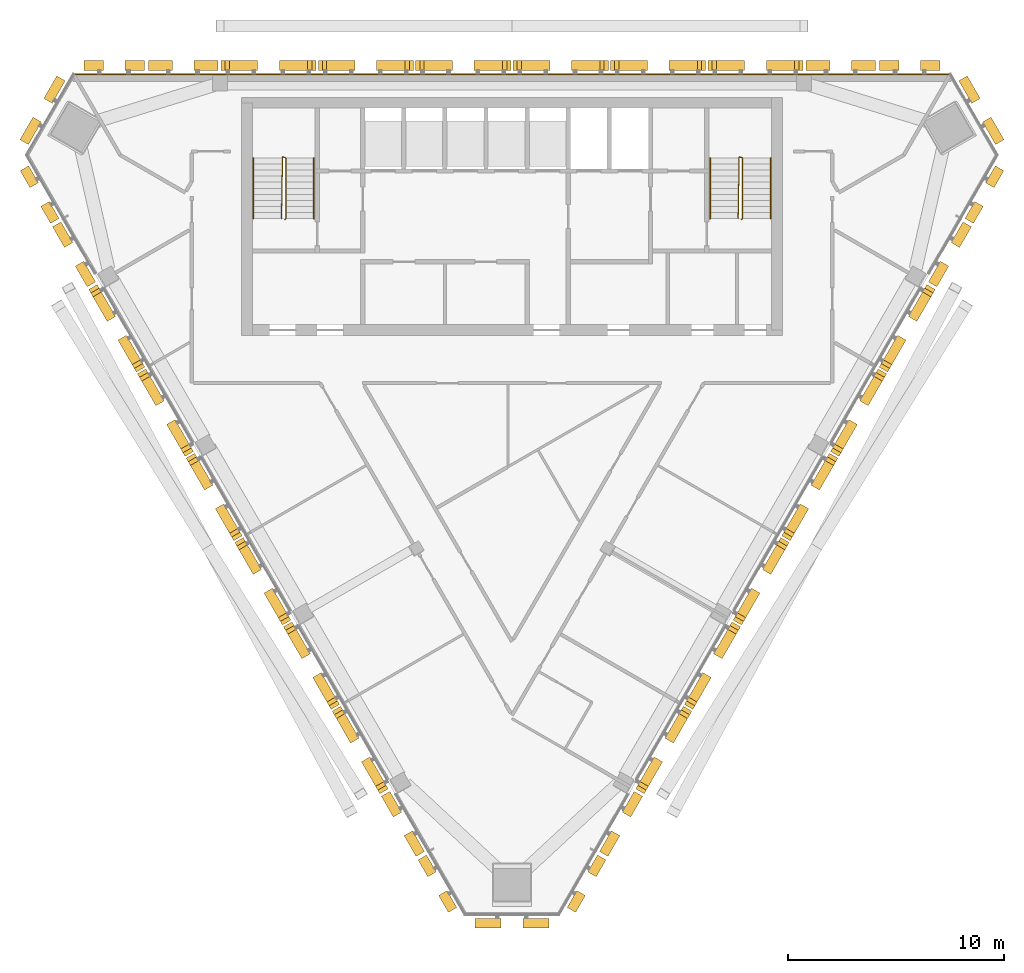
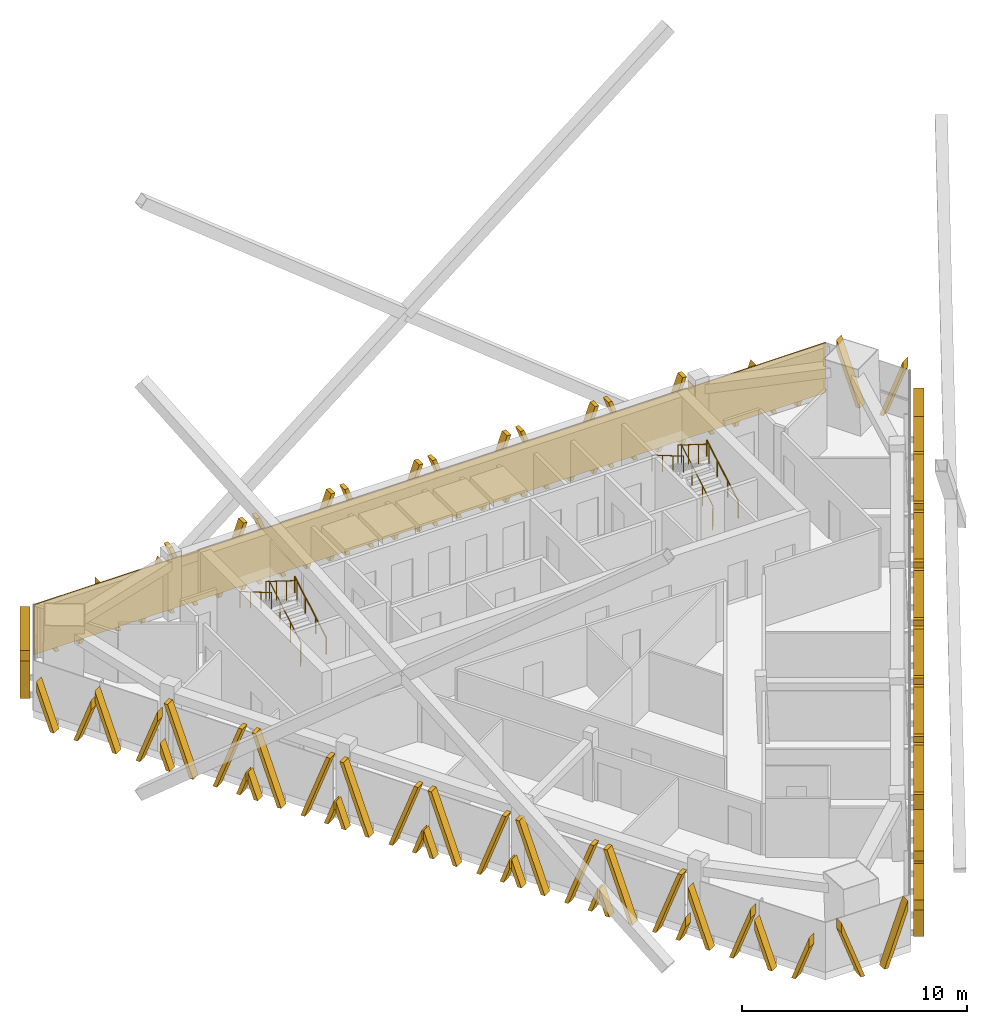
# One storey, part 11 of 12: 33 shading devices, 6 railings, 1 covering.
"""IFC4 building model written with IfcOpenShell, lengths in metres."""

from ifc_helpers import new_model, si_unit, direction, frame, frame_2d, origin, origin_2d, place, context, subcontext, project, spatial, polyline, rectangle, circle, outline, extrude, source, transform, mapped, material, layer, layer_set, type_object, element, save


model = new_model("IFC4")

# Units and contexts
model_context = context("Model", 3, precision=1e-05, world=origin(), true_north=direction((0.0, 1.0)))
body_context = subcontext(model_context, "Body", "Model", "MODEL_VIEW")
ifc_project = project(units=[si_unit("LENGTHUNIT", "METRE"), si_unit("AREAUNIT", "SQUARE_METRE"), si_unit("VOLUMEUNIT", "CUBIC_METRE"), si_unit("PLANEANGLEUNIT", "RADIAN"), si_unit("MASSUNIT", "GRAM", prefix="KILO")], contexts=[model_context])

# Site, building, storey
site_placement = place(None, origin())
site = spatial("IfcSite", under=ifc_project, at=site_placement, CompositionType="ELEMENT")
building_placement = place(site_placement, origin())
building = spatial("IfcBuilding", under=site, at=building_placement, Name="Altiplano Prism Tower", CompositionType="ELEMENT")
storey_placement = place(building_placement, frame((0.0, 0.0, 291.39990234375)))
storey = spatial("IfcBuildingStorey", under=building, at=storey_placement, Name="L75", CompositionType="ELEMENT", Elevation=291.39990234375)

# Railings
ifc_material_1 = material(Name="Steel S355", Category="steel")
railing_type_1 = type_object("IfcRailingType", Name="Stair guard 1100", PredefinedType="GUARDRAIL", material=ifc_material_1)
railing_1_placement = place(storey_placement, frame((74.5, 98.25, 0.0)))
element("IfcRailing", 1, at=railing_1_placement, inside=storey, type_object=railing_type_1, Name="L75 ST1 stair guard 1", PredefinedType="GUARDRAIL", context=body_context, shape_type="SweptSolid", body=[
    extrude(circle(Radius=0.02392578125, at=origin_2d()), frame((0.0, 0.0, 1.076171875), z_axis=(0.280456126637, 0.280456126637, 0.917980785237), x_axis=(-0.707106781187, 0.707106781187, 0.0)), (0.0, 0.0, 1.0), 0.178466796875),
    extrude(circle(Radius=0.02392578125, at=origin_2d()), frame((0.050048828125, 0.050048828125, 1.23974609375), z_axis=(0.0, 0.863393664356, 0.504530851732), x_axis=(-1.0, 0.0, 0.0)), (0.0, 0.0, 1.0), 3.2431640625),
    extrude(circle(Radius=0.02392578125, at=origin_2d()), frame((0.050048828125, 2.85009765625, 2.8759765625), z_axis=(-0.949145278916, 0.314838433982, 0.0), x_axis=(-0.314838433982, -0.949145278916, 0.0)), (0.0, 0.0, 1.0), 0.158203125),
    extrude(circle(Radius=0.02392578125, at=origin_2d()), frame((-0.10009765625, 2.89990234375, 2.8759765625), z_axis=(-0.01477401265, -0.845377694409, 0.533964682676), x_axis=(0.999847325713, -0.01747355902, 0.0)), (0.0, 0.0, 1.0), 3.37109375),
    extrude(circle(Radius=0.02099609375, at=origin_2d()), origin(), (0.0, 0.0, 1.0), 1.052001953125),
    extrude(circle(Radius=0.02099609375, at=origin_2d()), frame((0.050048828125, 0.050048828125, 0.163818359375)), (0.0, 0.0, 1.0), 1.052001953125),
    extrude(circle(Radius=0.02099609375, at=origin_2d()), frame((0.050048828125, 0.9833984375, 0.709228515625)), (0.0, 0.0, 1.0), 1.052001953125),
    extrude(circle(Radius=0.02099609375, at=origin_2d()), frame((0.050048828125, 1.916748046875, 1.254638671875)), (0.0, 0.0, 1.0), 1.052001953125),
    extrude(circle(Radius=0.02099609375, at=origin_2d()), frame((0.050048828125, 2.85009765625, 1.800048828125)), (0.0, 0.0, 1.0), 1.052001953125),
    extrude(circle(Radius=0.02099609375, at=origin_2d()), frame((-0.10009765625, 2.89990234375, 1.800048828125)), (0.0, 0.0, 1.0), 1.052001953125),
    extrude(circle(Radius=0.02099609375, at=origin_2d()), frame((-0.11669921875, 1.949951171875, 2.400146484375)), (0.0, 0.0, 1.0), 1.052001953125),
    extrude(circle(Radius=0.02099609375, at=origin_2d()), frame((-0.13330078125, 1.0, 3.0)), (0.0, 0.0, 1.0), 1.052001953125),
    extrude(circle(Radius=0.02099609375, at=origin_2d()), frame((-0.14990234375, 0.050048828125, 3.60009765625)), (0.0, 0.0, 1.0), 1.052001953125),
])
railing_2_placement = place(storey_placement, frame((95.60009765625, 98.25, 0.0)))
element("IfcRailing", 2, at=railing_2_placement, inside=storey, type_object=railing_type_1, Name="L75 ST2 stair guard 1", PredefinedType="GUARDRAIL", context=body_context, shape_type="SweptSolid", body=[
    extrude(circle(Radius=0.02392578125, at=origin_2d()), frame((0.0, 0.0, 1.076171875), z_axis=(0.279194930351, 0.280563532951, 0.91833234444), x_axis=(-0.708833529934, 0.705375805398, 0.0)), (0.0, 0.0, 1.0), 0.178466796875),
    extrude(circle(Radius=0.02392578125, at=origin_2d()), frame((0.0498046875, 0.050048828125, 1.23974609375), z_axis=(0.0, 0.863393664356, 0.504530851732), x_axis=(-1.0, 0.0, 0.0)), (0.0, 0.0, 1.0), 3.2431640625),
    extrude(circle(Radius=0.02392578125, at=origin_2d()), frame((0.0498046875, 2.85009765625, 2.8759765625), z_axis=(-0.948991962702, 0.315300261223, 0.0), x_axis=(-0.315300261223, -0.948991962702, 0.0)), (0.0, 0.0, 1.0), 0.157958984375),
    extrude(circle(Radius=0.02392578125, at=origin_2d()), frame((-0.10009765625, 2.89990234375, 2.8759765625), z_axis=(-0.014846418356, -0.845376787675, 0.533964109957), x_axis=(0.999845825584, -0.017559187376, 0.0)), (0.0, 0.0, 1.0), 3.37109375),
    extrude(circle(Radius=0.02099609375, at=origin_2d()), origin(), (0.0, 0.0, 1.0), 1.052001953125),
    extrude(circle(Radius=0.02099609375, at=origin_2d()), frame((0.0498046875, 0.050048828125, 0.163818359375)), (0.0, 0.0, 1.0), 1.052001953125),
    extrude(circle(Radius=0.02099609375, at=origin_2d()), frame((0.0498046875, 0.9833984375, 0.709228515625)), (0.0, 0.0, 1.0), 1.052001953125),
    extrude(circle(Radius=0.02099609375, at=origin_2d()), frame((0.0498046875, 1.916748046875, 1.254638671875)), (0.0, 0.0, 1.0), 1.052001953125),
    extrude(circle(Radius=0.02099609375, at=origin_2d()), frame((0.0498046875, 2.85009765625, 1.800048828125)), (0.0, 0.0, 1.0), 1.052001953125),
    extrude(circle(Radius=0.02099609375, at=origin_2d()), frame((-0.10009765625, 2.89990234375, 1.800048828125)), (0.0, 0.0, 1.0), 1.052001953125),
    extrude(circle(Radius=0.02099609375, at=origin_2d()), frame((-0.11669921875, 1.949951171875, 2.400146484375)), (0.0, 0.0, 1.0), 1.052001953125),
    extrude(circle(Radius=0.02099609375, at=origin_2d()), frame((-0.133544921875, 1.0, 3.0)), (0.0, 0.0, 1.0), 1.052001953125),
    extrude(circle(Radius=0.02099609375, at=origin_2d()), frame((-0.150146484375, 0.050048828125, 3.60009765625)), (0.0, 0.0, 1.0), 1.052001953125),
])
railing_type_2 = type_object("IfcRailingType", Name="Stair handrail 900", PredefinedType="HANDRAIL", material=ifc_material_1)
railing_3_placement = place(storey_placement, frame((75.85009765625, 98.300048828125, 0.163818359375)))
element("IfcRailing", 3, at=railing_3_placement, inside=storey, type_object=railing_type_2, Name="L75 ST1 stair handrail 1", PredefinedType="HANDRAIL", context=body_context, shape_type="SweptSolid", body=[
    extrude(circle(Radius=0.02392578125, at=origin_2d()), frame((0.0, 0.0, 0.8759765625), z_axis=(0.0, 0.863393664356, 0.504530851732), x_axis=(-1.0, 0.0, 0.0)), (0.0, 0.0, 1.0), 3.2431640625),
    extrude(circle(Radius=0.02099609375, at=origin_2d()), origin(), (0.0, 0.0, 1.0), 0.851806640625),
    extrude(circle(Radius=0.02099609375, at=origin_2d()), frame((0.0, 0.933349609375, 0.54541015625)), (0.0, 0.0, 1.0), 0.851806640625),
    extrude(circle(Radius=0.02099609375, at=origin_2d()), frame((0.0, 1.86669921875, 1.0908203125)), (0.0, 0.0, 1.0), 0.851806640625),
    extrude(circle(Radius=0.02099609375, at=origin_2d()), frame((0.0, 2.800048828125, 1.63623046875)), (0.0, 0.0, 1.0), 0.851806640625),
])
railing_4_placement = place(storey_placement, frame((73.050048828125, 101.10009765625, 1.963623046875)))
element("IfcRailing", 4, at=railing_4_placement, inside=storey, type_object=railing_type_2, Name="L75 ST1 stair handrail 2", PredefinedType="HANDRAIL", context=body_context, shape_type="SweptSolid", body=[
    extrude(circle(Radius=0.02392578125, at=origin_2d()), frame((0.0, 0.0, 0.8759765625), z_axis=(0.0, -0.863360870873, 0.504586966384), x_axis=(1.0, 0.0, 0.0)), (0.0, 0.0, 1.0), 3.2431640625),
    extrude(circle(Radius=0.02099609375, at=origin_2d()), origin(), (0.0, 0.0, 1.0), 0.851806640625),
    extrude(circle(Radius=0.02099609375, at=origin_2d()), frame((0.0, -0.933349609375, 0.54541015625)), (0.0, 0.0, 1.0), 0.851806640625),
    extrude(circle(Radius=0.02099609375, at=origin_2d()), frame((0.0, -1.86669921875, 1.091064453125)), (0.0, 0.0, 1.0), 0.851806640625),
    extrude(circle(Radius=0.02099609375, at=origin_2d()), frame((0.0, -2.800048828125, 1.636474609375)), (0.0, 0.0, 1.0), 0.851806640625),
])
railing_5_placement = place(storey_placement, frame((96.949951171875, 98.300048828125, 0.163818359375)))
element("IfcRailing", 5, at=railing_5_placement, inside=storey, type_object=railing_type_2, Name="L75 ST2 stair handrail 1", PredefinedType="HANDRAIL", context=body_context, shape_type="SweptSolid", body=[
    extrude(circle(Radius=0.02392578125, at=origin_2d()), frame((0.0, 0.0, 0.8759765625), z_axis=(0.0, 0.863393664356, 0.504530851732), x_axis=(-1.0, 0.0, 0.0)), (0.0, 0.0, 1.0), 3.2431640625),
    extrude(circle(Radius=0.02099609375, at=origin_2d()), origin(), (0.0, 0.0, 1.0), 0.851806640625),
    extrude(circle(Radius=0.02099609375, at=origin_2d()), frame((0.0, 0.933349609375, 0.54541015625)), (0.0, 0.0, 1.0), 0.851806640625),
    extrude(circle(Radius=0.02099609375, at=origin_2d()), frame((0.0, 1.86669921875, 1.0908203125)), (0.0, 0.0, 1.0), 0.851806640625),
    extrude(circle(Radius=0.02099609375, at=origin_2d()), frame((0.0, 2.800048828125, 1.63623046875)), (0.0, 0.0, 1.0), 0.851806640625),
])
railing_6_placement = place(storey_placement, frame((94.14990234375, 101.10009765625, 1.963623046875)))
element("IfcRailing", 6, at=railing_6_placement, inside=storey, type_object=railing_type_2, Name="L75 ST2 stair handrail 2", PredefinedType="HANDRAIL", context=body_context, shape_type="SweptSolid", body=[
    extrude(circle(Radius=0.02392578125, at=origin_2d()), frame((0.0, 0.0, 0.8759765625), z_axis=(0.0, -0.863360870873, 0.504586966384), x_axis=(1.0, 0.0, 0.0)), (0.0, 0.0, 1.0), 3.2431640625),
    extrude(circle(Radius=0.02099609375, at=origin_2d()), origin(), (0.0, 0.0, 1.0), 0.851806640625),
    extrude(circle(Radius=0.02099609375, at=origin_2d()), frame((0.0, -0.933349609375, 0.54541015625)), (0.0, 0.0, 1.0), 0.851806640625),
    extrude(circle(Radius=0.02099609375, at=origin_2d()), frame((0.0, -1.86669921875, 1.091064453125)), (0.0, 0.0, 1.0), 0.851806640625),
    extrude(circle(Radius=0.02099609375, at=origin_2d()), frame((0.0, -2.800048828125, 1.636474609375)), (0.0, 0.0, 1.0), 0.851806640625),
])

# Covering
ifc_material_2 = material(Name="Warm limestone cast stone", Category="masonry")
ifc_layer = layer(ifc_material_2, 0.06005859375)
ifc_layer_set = layer_set([ifc_layer], Name="Warm limestone cast stone")
covering_type = type_object("IfcCoveringType", Name="Stone cladding 60", PredefinedType="CLADDING", material=ifc_layer_set)
covering_placement = place(storey_placement, frame((64.723388671875, 104.969970703125, 0.0), z_axis=(0.0, 0.0, 1.0), x_axis=(1.0, 0.0, 0.0)))
element("IfcCovering", 7, at=covering_placement, inside=storey, type_object=covering_type, Name="Stone cladding north face L75", PredefinedType="CLADDING", context=body_context, shape_type="SweptSolid", body=[
    extrude(rectangle(XDim=40.55322265625, YDim=0.06005859375, at=frame_2d((20.276611328125, 0.0))), origin(), (0.0, 0.0, 1.0), 2.7001953125),
])

# Shading devices
shading_device_type_1 = type_object("IfcShadingDeviceType", Name="Stone fin panel, narrow closing bay", PredefinedType="USERDEFINED", material=ifc_material_2)
shared_shape_1 = source(origin(), body_context, "Body", "SweptSolid", [
    extrude(outline(polyline([(-1.60009765625, 3.022216796875), (-1.60009765625, 2.47265625), (-0.699951171875, 0.0), (-0.5, 0.0), (-1.60009765625, 3.022216796875)])), frame((0.0, -0.14990234375, 0.0), z_axis=(0.0, -1.0, 0.0), x_axis=(1.0, 0.0, 0.0)), (0.0, 0.0, 1.0), 0.4501953125),
    extrude(outline(polyline([(1.60009765625, 2.47265625), (1.60009765625, 3.022216796875), (0.5, 0.0), (0.699951171875, 0.0), (1.60009765625, 2.47265625)])), frame((0.0, -0.14990234375, 0.0), z_axis=(0.0, -1.0, 0.0), x_axis=(1.0, 0.0, 0.0)), (0.0, 0.0, 1.0), 0.4501953125),
])
shading_device_1_placement = place(storey_placement, origin())
element("IfcShadingDevice", 8, at=shading_device_1_placement, inside=storey, type_object=shading_device_type_1, Name="Fin L75 north face 2", ObjectType="FIN", PredefinedType="USERDEFINED", context=body_context, shape_type="MappedRepresentation", body=[
    mapped(shared_shape_1, transform((100.194091796875, 105.0, -0.39990234375), x_axis=(-1.0, 0.0, 0.0), y_axis=(0.0, -1.0, 0.0), z_axis=(0.0, 0.0, 1.0))),
])
shading_device_2_placement = place(storey_placement, origin())
element("IfcShadingDevice", 9, at=shading_device_2_placement, inside=storey, type_object=shading_device_type_1, Name="Fin L75 north face 9", ObjectType="FIN", PredefinedType="USERDEFINED", context=body_context, shape_type="MappedRepresentation", body=[
    mapped(shared_shape_1, transform((69.805908203125, 105.0, -0.39990234375), x_axis=(-1.0, 0.0, 0.0), y_axis=(0.0, -1.0, 0.0), z_axis=(0.0, 0.0, 1.0))),
])
shading_device_3_placement = place(storey_placement, origin())
element("IfcShadingDevice", 10, at=shading_device_3_placement, inside=storey, type_object=shading_device_type_1, Name="Fin L75 south-west face 2", ObjectType="FIN", PredefinedType="USERDEFINED", context=body_context, shape_type="MappedRepresentation", body=[
    mapped(shared_shape_1, transform((65.09130859375, 96.833984375, -0.39990234375), x_axis=(0.499999989059, -0.866025410101, 0.0), y_axis=(0.866025410101, 0.499999989059, 0.0), z_axis=(0.0, 0.0, 1.0))),
])
shading_device_4_placement = place(storey_placement, origin())
element("IfcShadingDevice", 11, at=shading_device_4_placement, inside=storey, type_object=shading_device_type_1, Name="Fin L75 south-west face 9", ObjectType="FIN", PredefinedType="USERDEFINED", context=body_context, shape_type="MappedRepresentation", body=[
    mapped(shared_shape_1, transform((80.285400390625, 70.516845703125, -0.39990234375), x_axis=(0.499999989059, -0.866025410101, 0.0), y_axis=(0.866025410101, 0.499999989059, 0.0), z_axis=(0.0, 0.0, 1.0))),
])
shading_device_5_placement = place(storey_placement, origin())
element("IfcShadingDevice", 12, at=shading_device_5_placement, inside=storey, type_object=shading_device_type_1, Name="Fin L75 south-east face 2", ObjectType="FIN", PredefinedType="USERDEFINED", context=body_context, shape_type="MappedRepresentation", body=[
    mapped(shared_shape_1, transform((89.714599609375, 70.516845703125, -0.39990234375), x_axis=(0.499999989059, 0.866025410101, 0.0), y_axis=(-0.866025410101, 0.499999989059, 0.0), z_axis=(0.0, 0.0, 1.0))),
])
shading_device_6_placement = place(storey_placement, origin())
element("IfcShadingDevice", 13, at=shading_device_6_placement, inside=storey, type_object=shading_device_type_1, Name="Fin L75 south-east face 9", ObjectType="FIN", PredefinedType="USERDEFINED", context=body_context, shape_type="MappedRepresentation", body=[
    mapped(shared_shape_1, transform((104.90869140625, 96.833984375, -0.39990234375), x_axis=(0.499999989059, 0.866025410101, 0.0), y_axis=(-0.866025410101, 0.499999989059, 0.0), z_axis=(0.0, 0.0, 1.0))),
])
shading_device_type_2 = type_object("IfcShadingDeviceType", Name="Stone fin panel, standard unit", PredefinedType="USERDEFINED", material=ifc_material_2)
shared_shape_2 = source(origin(), body_context, "Body", "SweptSolid", [
    extrude(outline(polyline([(-2.199951171875, 1.373779296875), (-2.199951171875, 0.82421875), (-1.89990234375, 0.0), (-1.699951171875, 0.0), (-2.199951171875, 1.373779296875)])), frame((0.0, -0.14990234375, 0.0), z_axis=(0.0, -1.0, 0.0), x_axis=(1.0, 0.0, 0.0)), (0.0, 0.0, 1.0), 0.4501953125),
    extrude(outline(polyline([(-2.01025390625, 3.60009765625), (-0.699951171875, 0.0), (-0.5, 0.0), (-1.810302734375, 3.60009765625), (-2.01025390625, 3.60009765625)])), frame((0.0, -0.14990234375, 0.0), z_axis=(0.0, -1.0, 0.0), x_axis=(1.0, 0.0, 0.0)), (0.0, 0.0, 1.0), 0.4501953125),
    extrude(outline(polyline([(1.810302734375, 3.60009765625), (0.5, 0.0), (0.699951171875, 0.0), (2.01025390625, 3.60009765625), (1.810302734375, 3.60009765625)])), frame((0.0, -0.14990234375, 0.0), z_axis=(0.0, -1.0, 0.0), x_axis=(1.0, 0.0, 0.0)), (0.0, 0.0, 1.0), 0.4501953125),
    extrude(outline(polyline([(2.199951171875, 0.82421875), (2.199951171875, 1.373779296875), (1.699951171875, 0.0), (1.89990234375, 0.0), (2.199951171875, 0.82421875)])), frame((0.0, -0.14990234375, 0.0), z_axis=(0.0, -1.0, 0.0), x_axis=(1.0, 0.0, 0.0)), (0.0, 0.0, 1.0), 0.4501953125),
])
shading_device_7_placement = place(storey_placement, origin())
element("IfcShadingDevice", 14, at=shading_device_7_placement, inside=storey, type_object=shading_device_type_2, Name="Fin L75 north face 3", ObjectType="FIN", PredefinedType="USERDEFINED", context=body_context, shape_type="MappedRepresentation", body=[
    mapped(shared_shape_2, transform((96.25, 105.0, -0.39990234375), x_axis=(-1.0, 0.0, 0.0), y_axis=(0.0, -1.0, 0.0), z_axis=(0.0, 0.0, 1.0))),
])
shading_device_8_placement = place(storey_placement, origin())
element("IfcShadingDevice", 15, at=shading_device_8_placement, inside=storey, type_object=shading_device_type_2, Name="Fin L75 north face 4", ObjectType="FIN", PredefinedType="USERDEFINED", context=body_context, shape_type="MappedRepresentation", body=[
    mapped(shared_shape_2, transform((91.75, 105.0, -0.39990234375), x_axis=(-1.0, 0.0, 0.0), y_axis=(0.0, -1.0, 0.0), z_axis=(0.0, 0.0, 1.0))),
])
shading_device_9_placement = place(storey_placement, origin())
element("IfcShadingDevice", 16, at=shading_device_9_placement, inside=storey, type_object=shading_device_type_2, Name="Fin L75 north face 5", ObjectType="FIN", PredefinedType="USERDEFINED", context=body_context, shape_type="MappedRepresentation", body=[
    mapped(shared_shape_2, transform((87.25, 105.0, -0.39990234375), x_axis=(-1.0, 0.0, 0.0), y_axis=(0.0, -1.0, 0.0), z_axis=(0.0, 0.0, 1.0))),
])
shading_device_10_placement = place(storey_placement, origin())
element("IfcShadingDevice", 17, at=shading_device_10_placement, inside=storey, type_object=shading_device_type_2, Name="Fin L75 north face 6", ObjectType="FIN", PredefinedType="USERDEFINED", context=body_context, shape_type="MappedRepresentation", body=[
    mapped(shared_shape_2, transform((82.75, 105.0, -0.39990234375), x_axis=(-1.0, 0.0, 0.0), y_axis=(0.0, -1.0, 0.0), z_axis=(0.0, 0.0, 1.0))),
])
shading_device_11_placement = place(storey_placement, origin())
element("IfcShadingDevice", 18, at=shading_device_11_placement, inside=storey, type_object=shading_device_type_2, Name="Fin L75 north face 7", ObjectType="FIN", PredefinedType="USERDEFINED", context=body_context, shape_type="MappedRepresentation", body=[
    mapped(shared_shape_2, transform((78.25, 105.0, -0.39990234375), x_axis=(-1.0, 0.0, 0.0), y_axis=(0.0, -1.0, 0.0), z_axis=(0.0, 0.0, 1.0))),
])
shading_device_12_placement = place(storey_placement, origin())
element("IfcShadingDevice", 19, at=shading_device_12_placement, inside=storey, type_object=shading_device_type_2, Name="Fin L75 north face 8", ObjectType="FIN", PredefinedType="USERDEFINED", context=body_context, shape_type="MappedRepresentation", body=[
    mapped(shared_shape_2, transform((73.75, 105.0, -0.39990234375), x_axis=(-1.0, 0.0, 0.0), y_axis=(0.0, -1.0, 0.0), z_axis=(0.0, 0.0, 1.0))),
])
shading_device_13_placement = place(storey_placement, origin())
element("IfcShadingDevice", 20, at=shading_device_13_placement, inside=storey, type_object=shading_device_type_2, Name="Fin L75 south-west face 3", ObjectType="FIN", PredefinedType="USERDEFINED", context=body_context, shape_type="MappedRepresentation", body=[
    mapped(shared_shape_2, transform((67.063232421875, 93.418212890625, -0.39990234375), x_axis=(0.499999989059, -0.866025410101, 0.0), y_axis=(0.866025410101, 0.499999989059, 0.0), z_axis=(0.0, 0.0, 1.0))),
])
shading_device_14_placement = place(storey_placement, origin())
element("IfcShadingDevice", 21, at=shading_device_14_placement, inside=storey, type_object=shading_device_type_2, Name="Fin L75 south-west face 4", ObjectType="FIN", PredefinedType="USERDEFINED", context=body_context, shape_type="MappedRepresentation", body=[
    mapped(shared_shape_2, transform((69.313232421875, 89.52099609375, -0.39990234375), x_axis=(0.499999989059, -0.866025410101, 0.0), y_axis=(0.866025410101, 0.499999989059, 0.0), z_axis=(0.0, 0.0, 1.0))),
])
shading_device_15_placement = place(storey_placement, origin())
element("IfcShadingDevice", 22, at=shading_device_15_placement, inside=storey, type_object=shading_device_type_2, Name="Fin L75 south-west face 5", ObjectType="FIN", PredefinedType="USERDEFINED", context=body_context, shape_type="MappedRepresentation", body=[
    mapped(shared_shape_2, transform((71.563232421875, 85.6240234375, -0.39990234375), x_axis=(0.499999989059, -0.866025410101, 0.0), y_axis=(0.866025410101, 0.499999989059, 0.0), z_axis=(0.0, 0.0, 1.0))),
])
shading_device_16_placement = place(storey_placement, origin())
element("IfcShadingDevice", 23, at=shading_device_16_placement, inside=storey, type_object=shading_device_type_2, Name="Fin L75 south-west face 6", ObjectType="FIN", PredefinedType="USERDEFINED", context=body_context, shape_type="MappedRepresentation", body=[
    mapped(shared_shape_2, transform((73.813232421875, 81.726806640625, -0.39990234375), x_axis=(0.499999989059, -0.866025410101, 0.0), y_axis=(0.866025410101, 0.499999989059, 0.0), z_axis=(0.0, 0.0, 1.0))),
])
shading_device_17_placement = place(storey_placement, origin())
element("IfcShadingDevice", 24, at=shading_device_17_placement, inside=storey, type_object=shading_device_type_2, Name="Fin L75 south-west face 7", ObjectType="FIN", PredefinedType="USERDEFINED", context=body_context, shape_type="MappedRepresentation", body=[
    mapped(shared_shape_2, transform((76.063232421875, 77.829833984375, -0.39990234375), x_axis=(0.499999989059, -0.866025410101, 0.0), y_axis=(0.866025410101, 0.499999989059, 0.0), z_axis=(0.0, 0.0, 1.0))),
])
shading_device_18_placement = place(storey_placement, origin())
element("IfcShadingDevice", 25, at=shading_device_18_placement, inside=storey, type_object=shading_device_type_2, Name="Fin L75 south-west face 8", ObjectType="FIN", PredefinedType="USERDEFINED", context=body_context, shape_type="MappedRepresentation", body=[
    mapped(shared_shape_2, transform((78.313232421875, 73.9326171875, -0.39990234375), x_axis=(0.499999989059, -0.866025410101, 0.0), y_axis=(0.866025410101, 0.499999989059, 0.0), z_axis=(0.0, 0.0, 1.0))),
])
shading_device_19_placement = place(storey_placement, origin())
element("IfcShadingDevice", 26, at=shading_device_19_placement, inside=storey, type_object=shading_device_type_2, Name="Fin L75 south-east face 3", ObjectType="FIN", PredefinedType="USERDEFINED", context=body_context, shape_type="MappedRepresentation", body=[
    mapped(shared_shape_2, transform((91.686767578125, 73.9326171875, -0.39990234375), x_axis=(0.499999989059, 0.866025410101, 0.0), y_axis=(-0.866025410101, 0.499999989059, 0.0), z_axis=(0.0, 0.0, 1.0))),
])
shading_device_20_placement = place(storey_placement, origin())
element("IfcShadingDevice", 27, at=shading_device_20_placement, inside=storey, type_object=shading_device_type_2, Name="Fin L75 south-east face 4", ObjectType="FIN", PredefinedType="USERDEFINED", context=body_context, shape_type="MappedRepresentation", body=[
    mapped(shared_shape_2, transform((93.936767578125, 77.829833984375, -0.39990234375), x_axis=(0.499999989059, 0.866025410101, 0.0), y_axis=(-0.866025410101, 0.499999989059, 0.0), z_axis=(0.0, 0.0, 1.0))),
])
shading_device_21_placement = place(storey_placement, origin())
element("IfcShadingDevice", 28, at=shading_device_21_placement, inside=storey, type_object=shading_device_type_2, Name="Fin L75 south-east face 5", ObjectType="FIN", PredefinedType="USERDEFINED", context=body_context, shape_type="MappedRepresentation", body=[
    mapped(shared_shape_2, transform((96.186767578125, 81.726806640625, -0.39990234375), x_axis=(0.499999989059, 0.866025410101, 0.0), y_axis=(-0.866025410101, 0.499999989059, 0.0), z_axis=(0.0, 0.0, 1.0))),
])
shading_device_22_placement = place(storey_placement, origin())
element("IfcShadingDevice", 29, at=shading_device_22_placement, inside=storey, type_object=shading_device_type_2, Name="Fin L75 south-east face 6", ObjectType="FIN", PredefinedType="USERDEFINED", context=body_context, shape_type="MappedRepresentation", body=[
    mapped(shared_shape_2, transform((98.436767578125, 85.6240234375, -0.39990234375), x_axis=(0.499999989059, 0.866025410101, 0.0), y_axis=(-0.866025410101, 0.499999989059, 0.0), z_axis=(0.0, 0.0, 1.0))),
])
shading_device_23_placement = place(storey_placement, origin())
element("IfcShadingDevice", 30, at=shading_device_23_placement, inside=storey, type_object=shading_device_type_2, Name="Fin L75 south-east face 7", ObjectType="FIN", PredefinedType="USERDEFINED", context=body_context, shape_type="MappedRepresentation", body=[
    mapped(shared_shape_2, transform((100.686767578125, 89.52099609375, -0.39990234375), x_axis=(0.499999989059, 0.866025410101, 0.0), y_axis=(-0.866025410101, 0.499999989059, 0.0), z_axis=(0.0, 0.0, 1.0))),
])
shading_device_24_placement = place(storey_placement, origin())
element("IfcShadingDevice", 31, at=shading_device_24_placement, inside=storey, type_object=shading_device_type_2, Name="Fin L75 south-east face 8", ObjectType="FIN", PredefinedType="USERDEFINED", context=body_context, shape_type="MappedRepresentation", body=[
    mapped(shared_shape_2, transform((102.936767578125, 93.418212890625, -0.39990234375), x_axis=(0.499999989059, 0.866025410101, 0.0), y_axis=(-0.866025410101, 0.499999989059, 0.0), z_axis=(0.0, 0.0, 1.0))),
])
shading_device_type_3 = type_object("IfcShadingDeviceType", Name="Stone fin panel, chamfer unit", PredefinedType="USERDEFINED", material=ifc_material_2)
shared_shape_3 = source(origin(), body_context, "Body", "SweptSolid", [
    extrude(outline(polyline([(-1.699951171875, 3.297119140625), (-1.699951171875, 2.74755859375), (-0.699951171875, 0.0), (-0.5, 0.0), (-1.699951171875, 3.297119140625)])), frame((0.0, -0.14990234375, 0.0), z_axis=(0.0, -1.0, 0.0), x_axis=(1.0, 0.0, 0.0)), (0.0, 0.0, 1.0), 0.4501953125),
    extrude(outline(polyline([(1.699951171875, 2.74755859375), (1.699951171875, 3.297119140625), (0.5, 0.0), (0.699951171875, 0.0), (1.699951171875, 2.74755859375)])), frame((0.0, -0.14990234375, 0.0), z_axis=(0.0, -1.0, 0.0), x_axis=(1.0, 0.0, 0.0)), (0.0, 0.0, 1.0), 0.4501953125),
])
shading_device_25_placement = place(storey_placement, origin())
element("IfcShadingDevice", 32, at=shading_device_25_placement, inside=storey, type_object=shading_device_type_3, Name="Fin L75 north-west chamfer 1", ObjectType="FIN", PredefinedType="USERDEFINED", context=body_context, shape_type="MappedRepresentation", body=[
    mapped(shared_shape_3, transform((63.63671875, 103.11767578125, -0.39990234375), x_axis=(-0.500000063928, -0.866025366876, 0.0), y_axis=(0.866025366876, -0.500000063928, 0.0), z_axis=(0.0, 0.0, 1.0))),
])
shading_device_26_placement = place(storey_placement, origin())
element("IfcShadingDevice", 33, at=shading_device_26_placement, inside=storey, type_object=shading_device_type_3, Name="Fin L75 south chamfer 1", ObjectType="FIN", PredefinedType="USERDEFINED", context=body_context, shape_type="MappedRepresentation", body=[
    mapped(shared_shape_3, transform((85.0, 66.115478515625, -0.39990234375), x_axis=(1.0, 0.0, 0.0), y_axis=(0.0, 1.0, 0.0), z_axis=(0.0, 0.0, 1.0))),
])
shading_device_27_placement = place(storey_placement, origin())
element("IfcShadingDevice", 34, at=shading_device_27_placement, inside=storey, type_object=shading_device_type_3, Name="Fin L75 north-east chamfer 1", ObjectType="FIN", PredefinedType="USERDEFINED", context=body_context, shape_type="MappedRepresentation", body=[
    mapped(shared_shape_3, transform((106.36328125, 103.11767578125, -0.39990234375), x_axis=(-0.500000063928, 0.866025366876, 0.0), y_axis=(-0.866025366876, -0.500000063928, 0.0), z_axis=(0.0, 0.0, 1.0))),
])
shared_shape_4 = source(origin(), body_context, "Body", "SweptSolid", [
    extrude(outline(polyline([(-1.39990234375, 2.47265625), (-1.39990234375, 1.923095703125), (-0.699951171875, 0.0), (-0.5, 0.0), (-1.39990234375, 2.47265625)])), frame((0.0, -0.14990234375, 0.0), z_axis=(0.0, -1.0, 0.0), x_axis=(1.0, 0.0, 0.0)), (0.0, 0.0, 1.0), 0.4501953125),
    extrude(outline(polyline([(1.39990234375, 1.923095703125), (1.39990234375, 2.47265625), (0.5, 0.0), (0.699951171875, 0.0), (1.39990234375, 1.923095703125)])), frame((0.0, -0.14990234375, 0.0), z_axis=(0.0, -1.0, 0.0), x_axis=(1.0, 0.0, 0.0)), (0.0, 0.0, 1.0), 0.4501953125),
])
shading_device_28_placement = place(storey_placement, origin())
element("IfcShadingDevice", 35, at=shading_device_28_placement, inside=storey, type_object=shading_device_type_1, Name="Fin L75 north face 1", ObjectType="FIN", PredefinedType="USERDEFINED", context=body_context, shape_type="MappedRepresentation", body=[
    mapped(shared_shape_4, transform((103.38232421875, 105.0, -0.39990234375), x_axis=(-1.0, 0.0, 0.0), y_axis=(0.0, -1.0, 0.0), z_axis=(0.0, 0.0, 1.0))),
])
shading_device_29_placement = place(storey_placement, origin())
element("IfcShadingDevice", 36, at=shading_device_29_placement, inside=storey, type_object=shading_device_type_1, Name="Fin L75 north face 10", ObjectType="FIN", PredefinedType="USERDEFINED", context=body_context, shape_type="MappedRepresentation", body=[
    mapped(shared_shape_4, transform((66.61767578125, 105.0, -0.39990234375), x_axis=(-1.0, 0.0, 0.0), y_axis=(0.0, -1.0, 0.0), z_axis=(0.0, 0.0, 1.0))),
])
shading_device_30_placement = place(storey_placement, origin())
element("IfcShadingDevice", 37, at=shading_device_30_placement, inside=storey, type_object=shading_device_type_1, Name="Fin L75 south-west face 1", ObjectType="FIN", PredefinedType="USERDEFINED", context=body_context, shape_type="MappedRepresentation", body=[
    mapped(shared_shape_4, transform((63.4970703125, 99.594970703125, -0.39990234375), x_axis=(0.499999989059, -0.866025410101, 0.0), y_axis=(0.866025410101, 0.499999989059, 0.0), z_axis=(0.0, 0.0, 1.0))),
])
shading_device_31_placement = place(storey_placement, origin())
element("IfcShadingDevice", 38, at=shading_device_31_placement, inside=storey, type_object=shading_device_type_1, Name="Fin L75 south-west face 10", ObjectType="FIN", PredefinedType="USERDEFINED", context=body_context, shape_type="MappedRepresentation", body=[
    mapped(shared_shape_4, transform((81.87939453125, 67.755859375, -0.39990234375), x_axis=(0.499999989059, -0.866025410101, 0.0), y_axis=(0.866025410101, 0.499999989059, 0.0), z_axis=(0.0, 0.0, 1.0))),
])
shading_device_32_placement = place(storey_placement, origin())
element("IfcShadingDevice", 39, at=shading_device_32_placement, inside=storey, type_object=shading_device_type_1, Name="Fin L75 south-east face 1", ObjectType="FIN", PredefinedType="USERDEFINED", context=body_context, shape_type="MappedRepresentation", body=[
    mapped(shared_shape_4, transform((88.12060546875, 67.755859375, -0.39990234375), x_axis=(0.499999989059, 0.866025410101, 0.0), y_axis=(-0.866025410101, 0.499999989059, 0.0), z_axis=(0.0, 0.0, 1.0))),
])
shading_device_33_placement = place(storey_placement, origin())
element("IfcShadingDevice", 40, at=shading_device_33_placement, inside=storey, type_object=shading_device_type_1, Name="Fin L75 south-east face 10", ObjectType="FIN", PredefinedType="USERDEFINED", context=body_context, shape_type="MappedRepresentation", body=[
    mapped(shared_shape_4, transform((106.5029296875, 99.594970703125, -0.39990234375), x_axis=(0.499999989059, 0.866025410101, 0.0), y_axis=(-0.866025410101, 0.499999989059, 0.0), z_axis=(0.0, 0.0, 1.0))),
])

save(model, "model.ifc")
